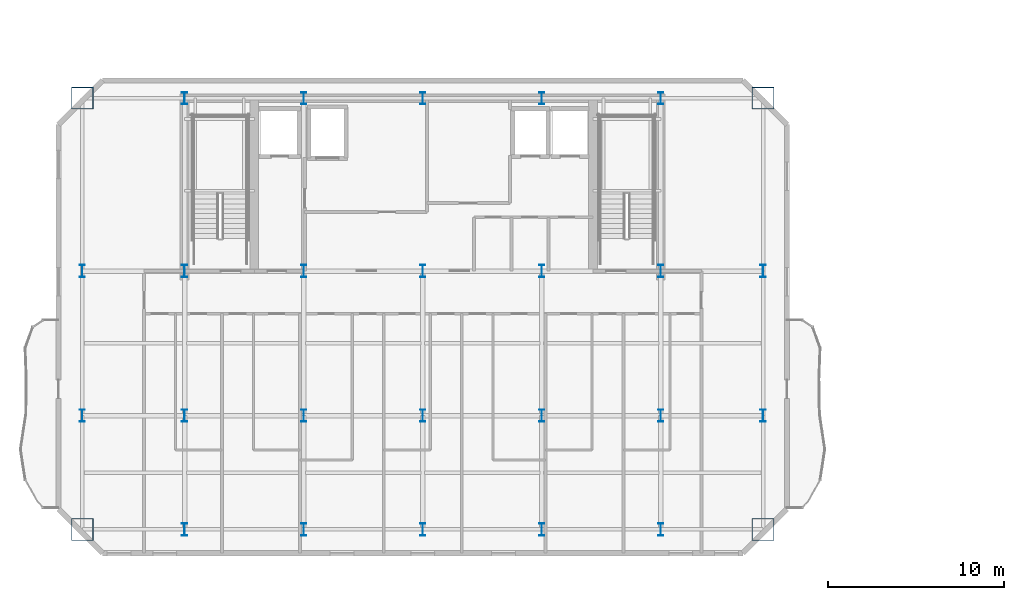
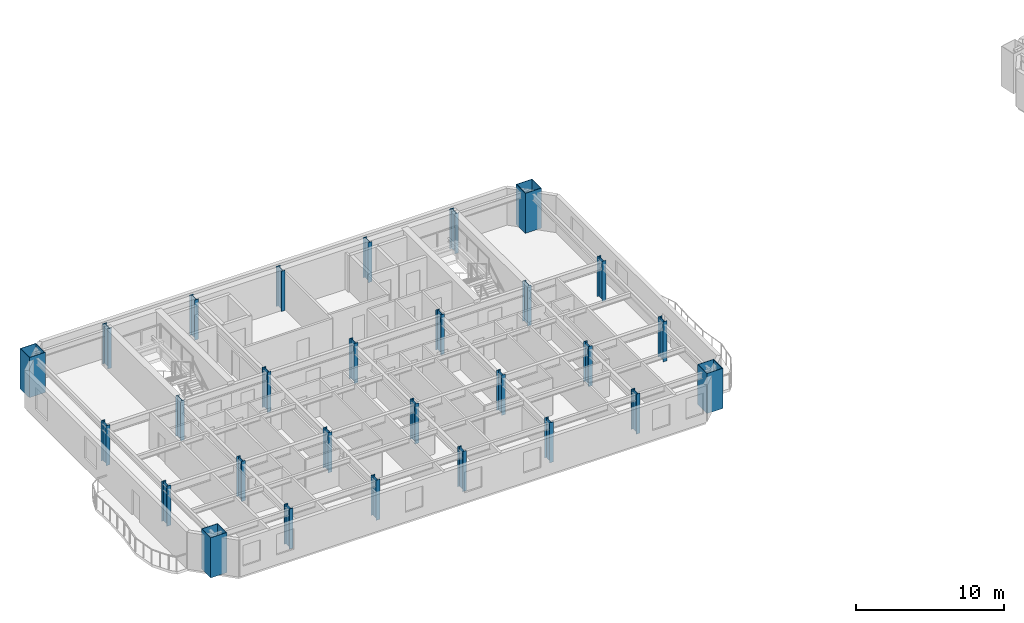
# One storey, part 1 of 14: 28 columns.
"""IFC4 building model written with IfcOpenShell, lengths in metres."""

from ifc_helpers import new_model, si_unit, direction, frame, origin, origin_2d, place, context, subcontext, project, spatial, hollow_rectangle, i_section, extrude, material, material_profile, profile_set, type_object, element, save


model = new_model("IFC4")

# Units and contexts
model_context = context("Model", 3, precision=1e-05, world=origin(), true_north=direction((0.0, 1.0)))
body_context = subcontext(model_context, "Body", "Model", "MODEL_VIEW")
ifc_project = project(units=[si_unit("LENGTHUNIT", "METRE"), si_unit("AREAUNIT", "SQUARE_METRE"), si_unit("VOLUMEUNIT", "CUBIC_METRE"), si_unit("PLANEANGLEUNIT", "RADIAN"), si_unit("MASSUNIT", "GRAM", prefix="KILO")], contexts=[model_context])

# Site, building, storey
site_placement = place(None, origin())
site = spatial("IfcSite", under=ifc_project, at=site_placement, CompositionType="ELEMENT")
building_placement = place(site_placement, origin())
building = spatial("IfcBuilding", under=site, at=building_placement, Name="Haevon Station Towers", CompositionType="ELEMENT")
storey_placement = place(building_placement, frame((0.0, 0.0, 179.10009765625)))
storey = spatial("IfcBuildingStorey", under=building, at=storey_placement, Name="L49", CompositionType="ELEMENT", Elevation=179.10009765625)

# Columns
ifc_material_1 = material(Name="Steel S460", Category="steel")
ifc_material_profile_1 = material_profile(ifc_material_1, hollow_rectangle(XDim=1.25, YDim=1.25, WallThickness=0.034912109375, at=origin_2d()), Name="BOX-1250x1250x35")
ifc_profile_set_1 = profile_set([ifc_material_profile_1], Name="Steel S460")
column_type_1 = type_object("IfcColumnType", Name="COL-MC4", PredefinedType="COLUMN", material=ifc_profile_set_1)
for number, where, z_axis, x_axis, name in (
    (1, (18.199951171875, 23.550048828125, 0.0), (0.0, 0.0, 1.0), (1.0, 0.0, 0.0), "COL-T1-L49-01-01"),
    (2, (18.199951171875, 48.0, 0.0), (0.0, 0.0, 1.0), (1.0, 0.0, 0.0), "COL-T1-L49-01-04"),
    (3, (56.800048828125, 23.550048828125, 0.0), (0.0, 0.0, 1.0), (1.0, 0.0, 0.0), "COL-T1-L49-07-01"),
    (4, (56.800048828125, 48.0, 0.0), (0.0, 0.0, 1.0), (1.0, 0.0, 0.0), "COL-T1-L49-07-04"),
):
    element("IfcColumn", number, at=place(storey_placement, frame(where, z_axis=z_axis, x_axis=x_axis)), inside=storey, type_object=column_type_1, Name=name, PredefinedType="COLUMN", context=body_context, shape_type="SweptSolid", body=[
        extrude(hollow_rectangle(XDim=1.25, YDim=1.25, WallThickness=0.034912109375, at=origin_2d()), origin(), (0.0, 0.0, 1.0), 3.2998046875),
    ])
ifc_material_2 = material(Name="Steel S355", Category="steel")
ifc_material_profile_2 = material_profile(ifc_material_2, i_section(OverallWidth=0.300048828125, OverallDepth=0.699951171875, WebThickness=0.01611328125, FlangeThickness=0.028076171875, at=origin_2d()), Name="H-700x300x16x28")
ifc_profile_set_2 = profile_set([ifc_material_profile_2], Name="Steel S355")
column_type_2 = type_object("IfcColumnType", Name="COL-TW3", PredefinedType="COLUMN", material=ifc_profile_set_2)
for number, where, z_axis, x_axis, name in (
    (5, (18.199951171875, 30.0, 0.0), (0.0, 0.0, 1.0), (1.0, 0.0, 0.0), "COL-T1-L49-01-02"),
    (6, (18.199951171875, 38.199951171875, 0.0), (0.0, 0.0, 1.0), (1.0, 0.0, 0.0), "COL-T1-L49-01-03"),
    (7, (24.0, 23.550048828125, 0.0), (0.0, 0.0, 1.0), (1.0, 0.0, 0.0), "COL-T1-L49-02-01"),
    (8, (24.0, 30.0, 0.0), (0.0, 0.0, 1.0), (1.0, 0.0, 0.0), "COL-T1-L49-02-02"),
    (9, (24.0, 38.199951171875, 0.0), (0.0, 0.0, 1.0), (1.0, 0.0, 0.0), "COL-T1-L49-02-03"),
    (10, (24.0, 48.0, 0.0), (0.0, 0.0, 1.0), (1.0, 0.0, 0.0), "COL-T1-L49-02-04"),
    (11, (30.75, 23.550048828125, 0.0), (0.0, 0.0, 1.0), (1.0, 0.0, 0.0), "COL-T1-L49-03-01"),
    (12, (30.75, 30.0, 0.0), (0.0, 0.0, 1.0), (1.0, 0.0, 0.0), "COL-T1-L49-03-02"),
    (13, (30.75, 38.199951171875, 0.0), (0.0, 0.0, 1.0), (1.0, 0.0, 0.0), "COL-T1-L49-03-03"),
    (14, (30.75, 48.0, 0.0), (0.0, 0.0, 1.0), (1.0, 0.0, 0.0), "COL-T1-L49-03-04"),
    (15, (37.5, 23.550048828125, 0.0), (0.0, 0.0, 1.0), (1.0, 0.0, 0.0), "COL-T1-L49-04-01"),
    (16, (37.5, 30.0, 0.0), (0.0, 0.0, 1.0), (1.0, 0.0, 0.0), "COL-T1-L49-04-02"),
    (17, (37.5, 38.199951171875, 0.0), (0.0, 0.0, 1.0), (1.0, 0.0, 0.0), "COL-T1-L49-04-03"),
    (18, (37.5, 48.0, 0.0), (0.0, 0.0, 1.0), (1.0, 0.0, 0.0), "COL-T1-L49-04-04"),
    (19, (44.25, 23.550048828125, 0.0), (0.0, 0.0, 1.0), (1.0, 0.0, 0.0), "COL-T1-L49-05-01"),
    (20, (44.25, 30.0, 0.0), (0.0, 0.0, 1.0), (1.0, 0.0, 0.0), "COL-T1-L49-05-02"),
    (21, (44.25, 38.199951171875, 0.0), (0.0, 0.0, 1.0), (1.0, 0.0, 0.0), "COL-T1-L49-05-03"),
    (22, (44.25, 48.0, 0.0), (0.0, 0.0, 1.0), (1.0, 0.0, 0.0), "COL-T1-L49-05-04"),
    (23, (51.0, 23.550048828125, 0.0), (0.0, 0.0, 1.0), (1.0, 0.0, 0.0), "COL-T1-L49-06-01"),
    (24, (51.0, 30.0, 0.0), (0.0, 0.0, 1.0), (1.0, 0.0, 0.0), "COL-T1-L49-06-02"),
    (25, (51.0, 38.199951171875, 0.0), (0.0, 0.0, 1.0), (1.0, 0.0, 0.0), "COL-T1-L49-06-03"),
    (26, (51.0, 48.0, 0.0), (0.0, 0.0, 1.0), (1.0, 0.0, 0.0), "COL-T1-L49-06-04"),
    (27, (56.800048828125, 30.0, 0.0), (0.0, 0.0, 1.0), (1.0, 0.0, 0.0), "COL-T1-L49-07-02"),
    (28, (56.800048828125, 38.199951171875, 0.0), (0.0, 0.0, 1.0), (1.0, 0.0, 0.0), "COL-T1-L49-07-03"),
):
    element("IfcColumn", number, at=place(storey_placement, frame(where, z_axis=z_axis, x_axis=x_axis)), inside=storey, type_object=column_type_2, Name=name, PredefinedType="COLUMN", context=body_context, shape_type="SweptSolid", body=[
        extrude(i_section(OverallWidth=0.300048828125, OverallDepth=0.699951171875, WebThickness=0.01611328125, FlangeThickness=0.028076171875, at=origin_2d()), origin(), (0.0, 0.0, 1.0), 3.2998046875),
    ])

save(model, "model.ifc")
